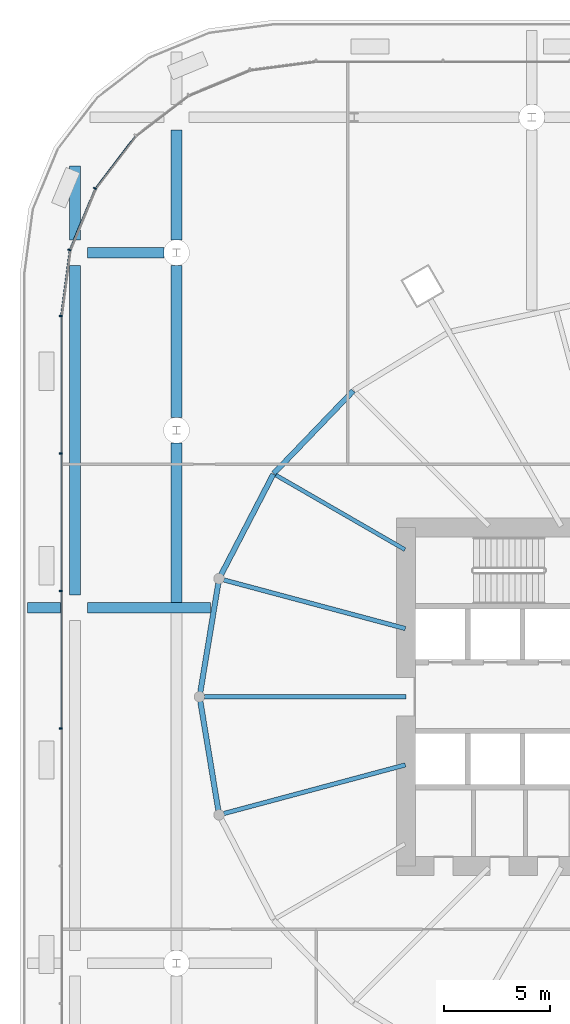
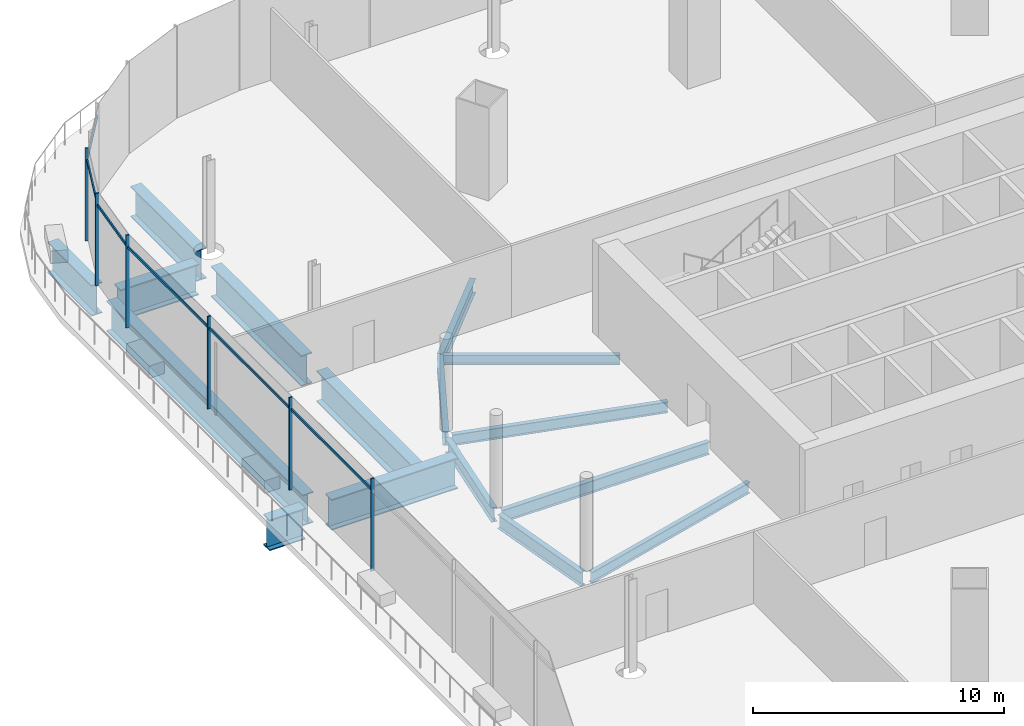
# One storey, part 18 of 56: 16 beams, 12 members, 1 element without a shape of its own.
"""IFC4 building model written with IfcOpenShell, lengths in metres."""

from ifc_helpers import new_model, si_unit, direction, frame, origin, origin_2d, place, context, subcontext, project, spatial, rectangle, i_section, extrude, material, material_profile, profile_set, type_object, element, aggregate, save


model = new_model("IFC4")

# Units and contexts
model_context = context("Model", 3, precision=1e-05, world=origin(), true_north=direction((0.0, 1.0)))
body_context = subcontext(model_context, "Body", "Model", "MODEL_VIEW")
ifc_project = project(units=[si_unit("LENGTHUNIT", "METRE"), si_unit("AREAUNIT", "SQUARE_METRE"), si_unit("VOLUMEUNIT", "CUBIC_METRE"), si_unit("PLANEANGLEUNIT", "RADIAN"), si_unit("MASSUNIT", "GRAM", prefix="KILO")], contexts=[model_context])

# Site, building, storey
site_placement = place(None, origin())
site = spatial("IfcSite", under=ifc_project, at=site_placement, CompositionType="ELEMENT")
building_placement = place(site_placement, origin())
building = spatial("IfcBuilding", under=site, at=building_placement, Name="Rimbun Link Towers", CompositionType="ELEMENT")
storey_placement = place(building_placement, frame((0.0, 0.0, 16.5)))
storey = spatial("IfcBuildingStorey", under=building, at=storey_placement, Name="L03", CompositionType="ELEMENT", Elevation=16.5)

# Curtain wall, members
ifc_material_1 = material(Name="Aluminium 6063-T6 and low-iron glass", Category="aluminium")
curtain_wall_type = type_object("IfcCurtainWallType", Name="CW3 podium shopfront", PredefinedType="NOTDEFINED", material=ifc_material_1)
curtain_wall_placement = place(storey_placement, origin())
curtain_wall = element("IfcCurtainWall", 1, at=curtain_wall_placement, inside=storey, type_object=curtain_wall_type, Name="CW3 L03 PD", PredefinedType="NOTDEFINED")
ifc_material_2 = material(Name="Aluminium 6063-T6", Category="aluminium")
ifc_material_profile_1 = material_profile(ifc_material_2, rectangle(XDim=0.14990234375, YDim=0.06005859375, at=origin_2d()), Name="MULLION 60X150")
ifc_profile_set_1 = profile_set([ifc_material_profile_1], Name="Aluminium 6063-T6")
member_type_1 = type_object("IfcMemberType", Name="CW3 mullion 60X150", PredefinedType="MULLION", material=ifc_profile_set_1)
member_1_placement = place(storey_placement, frame((-58.457275390625, 24.03759765625, 0.0), z_axis=(0.0, 0.0, 1.0), x_axis=(-0.866029040155, 0.499993701568, 0.0)))
member_1 = element("IfcMember", 2, at=member_1_placement, type_object=member_type_1, Name="CW3 mullion", PredefinedType="MULLION", context=body_context, shape_type="SweptSolid", body=[
    extrude(rectangle(XDim=0.14990234375, YDim=0.06005859375, at=origin_2d()), origin(), (0.0, 0.0, 1.0), 4.5),
])
member_2_placement = place(storey_placement, frame((-59.66357421875, 21.125244140625, 0.0), z_axis=(0.0, 0.0, 1.0), x_axis=(-0.965925910978, 0.258818729038, 0.0)))
member_2 = element("IfcMember", 3, at=member_2_placement, type_object=member_type_1, Name="CW3 mullion", PredefinedType="MULLION", context=body_context, shape_type="SweptSolid", body=[
    extrude(rectangle(XDim=0.14990234375, YDim=0.06005859375, at=origin_2d()), origin(), (0.0, 0.0, 1.0), 4.5),
])
member_3_placement = place(storey_placement, frame((-60.074951171875, 18.0048828125, 0.0), z_axis=(0.0, 0.0, 1.0), x_axis=(-0.997858781723, 0.065405288299, 0.0)))
member_3 = element("IfcMember", 4, at=member_3_placement, type_object=member_type_1, Name="CW3 mullion", PredefinedType="MULLION", context=body_context, shape_type="SweptSolid", body=[
    extrude(rectangle(XDim=0.14990234375, YDim=0.06005859375, at=origin_2d()), origin(), (0.0, 0.0, 1.0), 4.5),
])
member_4_placement = place(storey_placement, frame((-60.074951171875, 11.5, 0.0), z_axis=(0.0, 0.0, 1.0), x_axis=(-1.0, 0.0, 0.0)))
member_4 = element("IfcMember", 5, at=member_4_placement, type_object=member_type_1, Name="CW3 mullion", PredefinedType="MULLION", context=body_context, shape_type="SweptSolid", body=[
    extrude(rectangle(XDim=0.14990234375, YDim=0.06005859375, at=origin_2d()), origin(), (0.0, 0.0, 1.0), 4.5),
])
member_5_placement = place(storey_placement, frame((-60.074951171875, 5.0, 0.0), z_axis=(0.0, 0.0, 1.0), x_axis=(-1.0, 0.0, 0.0)))
member_5 = element("IfcMember", 6, at=member_5_placement, type_object=member_type_1, Name="CW3 mullion", PredefinedType="MULLION", context=body_context, shape_type="SweptSolid", body=[
    extrude(rectangle(XDim=0.14990234375, YDim=0.06005859375, at=origin_2d()), origin(), (0.0, 0.0, 1.0), 4.5),
])
member_6_placement = place(storey_placement, frame((-60.074951171875, -1.5, 0.0), z_axis=(0.0, 0.0, 1.0), x_axis=(-1.0, 0.0, 0.0)))
member_6 = element("IfcMember", 7, at=member_6_placement, type_object=member_type_1, Name="CW3 mullion", PredefinedType="MULLION", context=body_context, shape_type="SweptSolid", body=[
    extrude(rectangle(XDim=0.14990234375, YDim=0.06005859375, at=origin_2d()), origin(), (0.0, 0.0, 1.0), 4.5),
])
ifc_material_3 = material(Name="Aluminium 6063-T6", Category="aluminium")
ifc_material_profile_2 = material_profile(ifc_material_3, rectangle(XDim=0.06005859375, YDim=0.1201171875, at=origin_2d()), Name="TRANSOM 60X120")
ifc_profile_set_2 = profile_set([ifc_material_profile_2], Name="Aluminium 6063-T6")
member_type_2 = type_object("IfcMemberType", Name="CW3 transom 60X120", PredefinedType="USERDEFINED", material=ifc_profile_set_2)
member_7_placement = place(storey_placement, frame((-58.4169921875, 24.056640625, 3.89990234375), z_axis=(0.608773432314, 0.793344129687, 0.0), x_axis=(-0.793344129687, 0.608773432314, 0.0)))
member_7 = element("IfcMember", 8, at=member_7_placement, type_object=member_type_2, Name="CW3 transom", ObjectType="TRANSOM", PredefinedType="USERDEFINED", context=body_context, shape_type="SweptSolid", body=[
    extrude(rectangle(XDim=0.06005859375, YDim=0.1201171875, at=origin_2d()), origin(), (0.0, 0.0, 1.0), 3.07275390625),
])
member_8_placement = place(storey_placement, frame((-59.62939453125, 21.154296875, 3.89990234375), z_axis=(0.382679289053, 0.923881248716, 0.0), x_axis=(-0.923881248716, 0.382679289053, 0.0)))
member_8 = element("IfcMember", 9, at=member_8_placement, type_object=member_type_2, Name="CW3 transom", ObjectType="TRANSOM", PredefinedType="USERDEFINED", context=body_context, shape_type="SweptSolid", body=[
    extrude(rectangle(XDim=0.06005859375, YDim=0.1201171875, at=origin_2d()), origin(), (0.0, 0.0, 1.0), 3.072509765625),
])
member_9_placement = place(storey_placement, frame((-60.049560546875, 18.036865234375, 3.89990234375), z_axis=(0.130555231638, 0.991441037829, 0.0), x_axis=(-0.991441037829, 0.130555231638, 0.0)))
member_9 = element("IfcMember", 10, at=member_9_placement, type_object=member_type_2, Name="CW3 transom", ObjectType="TRANSOM", PredefinedType="USERDEFINED", context=body_context, shape_type="SweptSolid", body=[
    extrude(rectangle(XDim=0.06005859375, YDim=0.1201171875, at=origin_2d()), origin(), (0.0, 0.0, 1.0), 3.072509765625),
])
member_10_placement = place(storey_placement, frame((-60.053955078125, 11.530029296875, 3.89990234375), z_axis=(0.0, 1.0, 0.0), x_axis=(-1.0, 0.0, 0.0)))
member_10 = element("IfcMember", 11, at=member_10_placement, type_object=member_type_2, Name="CW3 transom", ObjectType="TRANSOM", PredefinedType="USERDEFINED", context=body_context, shape_type="SweptSolid", body=[
    extrude(rectangle(XDim=0.06005859375, YDim=0.1201171875, at=origin_2d()), origin(), (0.0, 0.0, 1.0), 6.43994140625),
])
member_11_placement = place(storey_placement, frame((-60.053955078125, 5.030029296875, 3.89990234375), z_axis=(0.0, 1.0, 0.0), x_axis=(-1.0, 0.0, 0.0)))
member_11 = element("IfcMember", 12, at=member_11_placement, type_object=member_type_2, Name="CW3 transom", ObjectType="TRANSOM", PredefinedType="USERDEFINED", context=body_context, shape_type="SweptSolid", body=[
    extrude(rectangle(XDim=0.06005859375, YDim=0.1201171875, at=origin_2d()), origin(), (0.0, 0.0, 1.0), 6.43994140625),
])
member_12_placement = place(storey_placement, frame((-60.053955078125, -1.469970703125, 3.89990234375), z_axis=(0.0, 1.0, 0.0), x_axis=(-1.0, 0.0, 0.0)))
member_12 = element("IfcMember", 13, at=member_12_placement, type_object=member_type_2, Name="CW3 transom", ObjectType="TRANSOM", PredefinedType="USERDEFINED", context=body_context, shape_type="SweptSolid", body=[
    extrude(rectangle(XDim=0.06005859375, YDim=0.1201171875, at=origin_2d()), origin(), (0.0, 0.0, 1.0), 6.43994140625),
])
aggregate(curtain_wall, [member_1, member_2, member_3, member_4, member_5, member_6, member_7, member_8, member_9, member_10, member_11, member_12])

# Beams
ifc_material_4 = material(Name="Steel S355J2", Category="steel")
ifc_material_profile_3 = material_profile(ifc_material_4, i_section(OverallWidth=0.5, OverallDepth=1.5, WebThickness=0.030029296875, FlangeThickness=0.050048828125, at=origin_2d()), Name="PG 1500x500x30/50")
ifc_profile_set_3 = profile_set([ifc_material_profile_3], Name="Steel S355J2")
beam_type_1 = type_object("IfcBeamType", Name="PG 1500x500x30/50", PredefinedType="BEAM", material=ifc_profile_set_3)
beam_1_placement = place(storey_placement, frame((-61.649169921875, 4.199951171875, -1.050048828125), z_axis=(1.0, 0.0, 0.0), x_axis=(0.0, 1.0, 0.0)))
element("IfcBeam", 14, at=beam_1_placement, inside=storey, type_object=beam_type_1, Name="Grid beam L03 +4.2", PredefinedType="BEAM", context=body_context, shape_type="SweptSolid", body=[
    extrude(i_section(OverallWidth=0.5, OverallDepth=1.5, WebThickness=0.030029296875, FlangeThickness=0.050048828125, at=origin_2d()), origin(), (0.0, 0.0, 1.0), 1.649169921875),
])
beam_2_placement = place(storey_placement, frame((-58.800048828125, 4.199951171875, -1.050048828125), z_axis=(1.0, 0.0, 0.0), x_axis=(0.0, 1.0, 0.0)))
element("IfcBeam", 15, at=beam_2_placement, inside=storey, type_object=beam_type_1, Name="Grid beam L03 +4.2", PredefinedType="BEAM", context=body_context, shape_type="SweptSolid", body=[
    extrude(i_section(OverallWidth=0.5, OverallDepth=1.5, WebThickness=0.030029296875, FlangeThickness=0.050048828125, at=origin_2d()), origin(), (0.0, 0.0, 1.0), 5.81396484375),
])
beam_3_placement = place(storey_placement, frame((-58.800048828125, 21.0, -1.050048828125), z_axis=(1.0, 0.0, 0.0), x_axis=(0.0, 1.0, 0.0)))
element("IfcBeam", 16, at=beam_3_placement, inside=storey, type_object=beam_type_1, Name="Grid beam L03 +21.0", PredefinedType="BEAM", context=body_context, shape_type="SweptSolid", body=[
    extrude(i_section(OverallWidth=0.5, OverallDepth=1.5, WebThickness=0.030029296875, FlangeThickness=0.050048828125, at=origin_2d()), origin(), (0.0, 0.0, 1.0), 3.60009765625),
])
beam_4_placement = place(storey_placement, frame((-59.39990234375, 4.800048828125, -1.050048828125), z_axis=(0.0, 1.0, 0.0), x_axis=(-1.0, 0.0, 0.0)))
element("IfcBeam", 17, at=beam_4_placement, inside=storey, type_object=beam_type_1, Name="Grid beam L03 -59.4", PredefinedType="BEAM", context=body_context, shape_type="SweptSolid", body=[
    extrude(i_section(OverallWidth=0.5, OverallDepth=1.5, WebThickness=0.030029296875, FlangeThickness=0.050048828125, at=origin_2d()), origin(), (0.0, 0.0, 1.0), 15.599853515625),
])
beam_5_placement = place(storey_placement, frame((-59.39990234375, 21.60009765625, -1.050048828125), z_axis=(0.0, 1.0, 0.0), x_axis=(-1.0, 0.0, 0.0)))
element("IfcBeam", 18, at=beam_5_placement, inside=storey, type_object=beam_type_1, Name="Grid beam L03 -59.4", PredefinedType="BEAM", context=body_context, shape_type="SweptSolid", body=[
    extrude(i_section(OverallWidth=0.5, OverallDepth=1.5, WebThickness=0.030029296875, FlangeThickness=0.050048828125, at=origin_2d()), origin(), (0.0, 0.0, 1.0), 3.5),
])
beam_6_placement = place(storey_placement, frame((-54.60009765625, 4.449951171875, -1.050048828125), z_axis=(0.0, 1.0, 0.0), x_axis=(-1.0, 0.0, 0.0)))
element("IfcBeam", 19, at=beam_6_placement, inside=storey, type_object=beam_type_1, Name="Grid beam L03 -54.6", PredefinedType="BEAM", context=body_context, shape_type="SweptSolid", body=[
    extrude(i_section(OverallWidth=0.5, OverallDepth=1.5, WebThickness=0.030029296875, FlangeThickness=0.050048828125, at=origin_2d()), origin(), (0.0, 0.0, 1.0), 7.550048828125),
])
beam_7_placement = place(storey_placement, frame((-54.60009765625, 13.199951171875, -1.050048828125), z_axis=(0.0, 1.0, 0.0), x_axis=(-1.0, 0.0, 0.0)))
element("IfcBeam", 20, at=beam_7_placement, inside=storey, type_object=beam_type_1, Name="Grid beam L03 -54.6", PredefinedType="BEAM", context=body_context, shape_type="SweptSolid", body=[
    extrude(i_section(OverallWidth=0.5, OverallDepth=1.5, WebThickness=0.030029296875, FlangeThickness=0.050048828125, at=origin_2d()), origin(), (0.0, 0.0, 1.0), 7.199951171875),
])
beam_8_placement = place(storey_placement, frame((-54.60009765625, 21.60009765625, -1.050048828125), z_axis=(0.0, 1.0, 0.0), x_axis=(-1.0, 0.0, 0.0)))
element("IfcBeam", 21, at=beam_8_placement, inside=storey, type_object=beam_type_1, Name="Grid beam L03 -54.6", PredefinedType="BEAM", context=body_context, shape_type="SweptSolid", body=[
    extrude(i_section(OverallWidth=0.5, OverallDepth=1.5, WebThickness=0.030029296875, FlangeThickness=0.050048828125, at=origin_2d()), origin(), (0.0, 0.0, 1.0), 5.199951171875),
])
ifc_material_5 = material(Name="Steel S355J2", Category="steel")
ifc_material_profile_4 = material_profile(ifc_material_5, i_section(OverallWidth=0.18994140625, OverallDepth=0.453369140625, WebThickness=0.008544921875, FlangeThickness=0.0126953125, at=origin_2d()), Name="UB 457x191x67")
ifc_profile_set_4 = profile_set([ifc_material_profile_4], Name="Steel S355J2")
beam_type_2 = type_object("IfcBeamType", Name="UB 457x191x67", PredefinedType="BEAM", material=ifc_profile_set_4)
beam_9_placement = place(storey_placement, frame((-43.79833984375, 6.9560546875, -0.526611328125), z_axis=(-0.866023453068, 0.500003378725, 0.0), x_axis=(-0.500003378725, -0.866023453068, 0.0)))
element("IfcBeam", 22, at=beam_9_placement, inside=storey, type_object=beam_type_2, Name="Radial beam T1 L03 10", PredefinedType="BEAM", context=body_context, shape_type="SweptSolid", body=[
    extrude(i_section(OverallWidth=0.18994140625, OverallDepth=0.453369140625, WebThickness=0.008544921875, FlangeThickness=0.0126953125, at=origin_2d()), origin(), (0.0, 0.0, 1.0), 7.04638671875),
])
ifc_material_6 = material(Name="Steel S355J2", Category="steel")
ifc_material_profile_5 = material_profile(ifc_material_6, i_section(OverallWidth=0.209228515625, OverallDepth=0.533203125, WebThickness=0.010009765625, FlangeThickness=0.015625, at=origin_2d()), Name="UB 533x210x92")
ifc_profile_set_5 = profile_set([ifc_material_profile_5], Name="Steel S355J2")
beam_type_3 = type_object("IfcBeamType", Name="UB 533x210x92", PredefinedType="BEAM", material=ifc_profile_set_5)
for number, where, z_axis, x_axis, name in (
    (23, (-43.778076171875, 3.222900390625, -0.566650390625), (-0.965921441409, 0.258835409145, 0.0), (-0.258835409145, -0.965921441409, 0.0), "Radial beam T1 L03 11"),
    (24, (-43.778076171875, -3.222900390625, -0.566650390625), (-0.965921441409, -0.258835409145, 0.0), (0.258835409145, -0.965921441409, 0.0), "Radial beam T1 L03 13"),
):
    element("IfcBeam", number, at=place(storey_placement, frame(where, z_axis=z_axis, x_axis=x_axis)), inside=storey, type_object=beam_type_3, Name=name, PredefinedType="BEAM", context=body_context, shape_type="SweptSolid", body=[
        extrude(i_section(OverallWidth=0.209228515625, OverallDepth=0.533203125, WebThickness=0.010009765625, FlangeThickness=0.015625, at=origin_2d()), origin(), (0.0, 0.0, 1.0), 8.88720703125),
    ])
ifc_material_7 = material(Name="Steel S355J2", Category="steel")
ifc_material_profile_6 = material_profile(ifc_material_7, i_section(OverallWidth=0.2275390625, OverallDepth=0.6025390625, WebThickness=0.010498046875, FlangeThickness=0.014892578125, at=origin_2d()), Name="UB 610x229x101")
ifc_profile_set_6 = profile_set([ifc_material_profile_6], Name="Steel S355J2")
beam_type_4 = type_object("IfcBeamType", Name="UB 610x229x101", PredefinedType="BEAM", material=ifc_profile_set_6)
beam_10_placement = place(storey_placement, frame((-43.7509765625, 0.0, -0.601318359375), z_axis=(-1.0, 0.0, 0.0), x_axis=(0.0, -1.0, 0.0)))
element("IfcBeam", 25, at=beam_10_placement, inside=storey, type_object=beam_type_4, Name="Radial beam T1 L03 12", PredefinedType="BEAM", context=body_context, shape_type="SweptSolid", body=[
    extrude(i_section(OverallWidth=0.2275390625, OverallDepth=0.6025390625, WebThickness=0.010498046875, FlangeThickness=0.014892578125, at=origin_2d()), origin(), (0.0, 0.0, 1.0), 9.5263671875),
])
ifc_material_8 = material(Name="Steel S355J2", Category="steel")
ifc_material_profile_7 = material_profile(ifc_material_8, i_section(OverallWidth=0.253662109375, OverallDepth=0.68359375, WebThickness=0.012451171875, FlangeThickness=0.01904296875, at=origin_2d()), Name="UB 686x254x140")
ifc_profile_set_7 = profile_set([ifc_material_profile_7], Name="Steel S355J2")
beam_type_5 = type_object("IfcBeamType", Name="UB 686x254x140", PredefinedType="BEAM", material=ifc_profile_set_7)
beam_11_placement = place(storey_placement, frame((-46.240966796875, 14.466552734375, -0.641845703125), z_axis=(-0.692988130851, -0.720948992995, 0.0), x_axis=(0.720948992995, -0.692988130851, 0.0)))
element("IfcBeam", 26, at=beam_11_placement, inside=storey, type_object=beam_type_5, Name="Edge beam T1 L03 09", PredefinedType="BEAM", context=body_context, shape_type="SweptSolid", body=[
    extrude(i_section(OverallWidth=0.253662109375, OverallDepth=0.68359375, WebThickness=0.012451171875, FlangeThickness=0.01904296875, at=origin_2d()), origin(), (0.0, 0.0, 1.0), 5.42236328125),
])
beam_12_placement = place(storey_placement, frame((-50.020751953125, 10.5263671875, -0.641845703125), z_axis=(-0.460708800711, -0.887551351161, 0.0), x_axis=(0.887551351161, -0.460708800711, 0.0)))
element("IfcBeam", 27, at=beam_12_placement, inside=storey, type_object=beam_type_5, Name="Edge beam T1 L03 10", PredefinedType="BEAM", context=body_context, shape_type="SweptSolid", body=[
    extrude(i_section(OverallWidth=0.253662109375, OverallDepth=0.68359375, WebThickness=0.012451171875, FlangeThickness=0.01904296875, at=origin_2d()), origin(), (0.0, 0.0, 1.0), 5.34912109375),
])
for number, where, z_axis, x_axis, name in (
    (28, (-52.62255859375, 5.365478515625, -0.641845703125), (-0.163063422521, -0.986615588887, 0.0), (0.986615588887, -0.163063422521, 0.0), "Edge beam T1 L03 11"),
    (29, (-53.473388671875, -0.217529296875, -0.641845703125), (0.163063422521, -0.986615588887, 0.0), (0.986615588887, 0.163063422521, 0.0), "Edge beam T1 L03 12"),
):
    element("IfcBeam", number, at=place(storey_placement, frame(where, z_axis=z_axis, x_axis=x_axis)), inside=storey, type_object=beam_type_5, Name=name, PredefinedType="BEAM", context=body_context, shape_type="SweptSolid", body=[
        extrude(i_section(OverallWidth=0.253662109375, OverallDepth=0.68359375, WebThickness=0.012451171875, FlangeThickness=0.01904296875, at=origin_2d()), origin(), (0.0, 0.0, 1.0), 5.2177734375),
    ])

save(model, "model.ifc")
